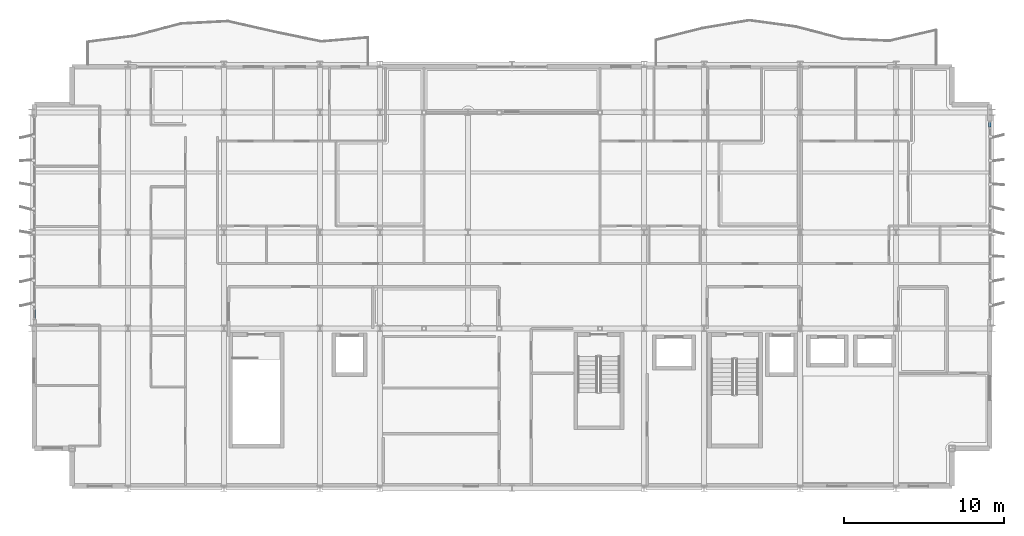
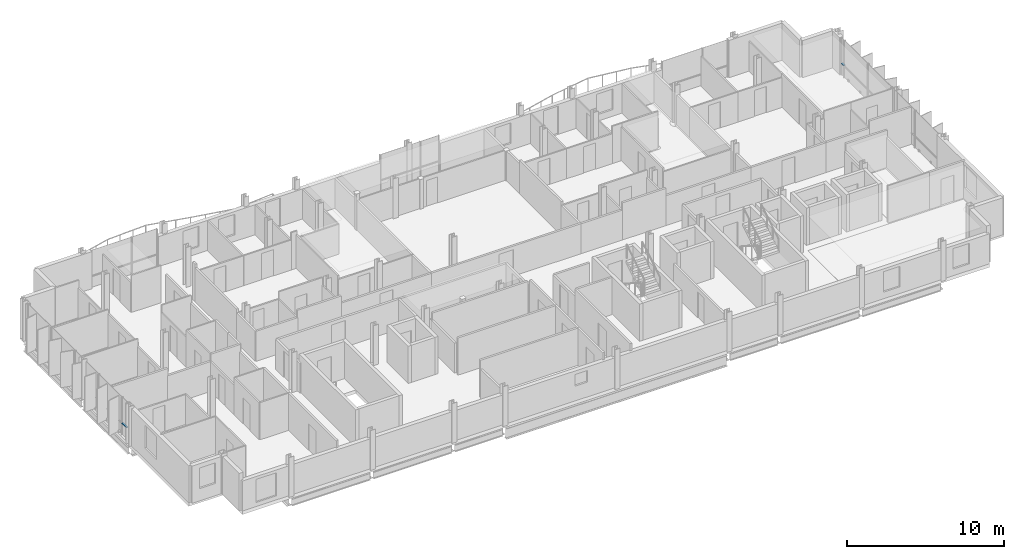
# One storey, part 20 of 35: 2 members, 2 elements without a shape of their own.
"""IFC4 building model written with IfcOpenShell, lengths in metres."""

from ifc_helpers import new_model, si_unit, direction, frame, origin, origin_2d, place, context, subcontext, project, spatial, hollow_rectangle, extrude, material, layer, layer_set, material_profile, profile_set, type_object, element, aggregate, save


model = new_model("IFC4")

# Units and contexts
model_context = context("Model", 3, precision=1e-05, world=origin(), true_north=direction((0.0, 1.0)))
body_context = subcontext(model_context, "Body", "Model", "MODEL_VIEW")
ifc_project = project(units=[si_unit("LENGTHUNIT", "METRE"), si_unit("AREAUNIT", "SQUARE_METRE"), si_unit("VOLUMEUNIT", "CUBIC_METRE"), si_unit("PLANEANGLEUNIT", "RADIAN"), si_unit("MASSUNIT", "GRAM", prefix="KILO")], contexts=[model_context])

# Site, building, storey
site_placement = place(None, origin())
site = spatial("IfcSite", under=ifc_project, at=site_placement, CompositionType="ELEMENT")
building_placement = place(site_placement, origin())
building = spatial("IfcBuilding", under=site, at=building_placement, Name="Brevholm Reach", CompositionType="ELEMENT")
storey_placement = place(building_placement, frame((0.0, 0.0, 218.0)))
storey = spatial("IfcBuildingStorey", under=building, at=storey_placement, Name="L66", CompositionType="ELEMENT", Elevation=218.0)

# Curtain wall, member
ifc_material_1 = material(Name="Dark Anodised Aluminium 6063-T6 and Solar-Control Glass", Category="aluminium")
ifc_layer = layer(ifc_material_1, 0.14990234375)
ifc_layer_set = layer_set([ifc_layer], Name="Dark Anodised Aluminium 6063-T6 and Solar-Control Glass")
curtain_wall_type = type_object("IfcCurtainWallType", Name="CW-01", PredefinedType="NOTDEFINED", material=ifc_layer_set)
curtain_wall_1_placement = place(storey_placement, origin())
curtain_wall_1 = element("IfcCurtainWall", 1, at=curtain_wall_1_placement, inside=storey, type_object=curtain_wall_type, Name="L66 Curtain Wall CW-01", PredefinedType="NOTDEFINED")
ifc_material_2 = material(Name="Dark Anodised Aluminium 6063-T6", Category="aluminium")
ifc_material_profile = material_profile(ifc_material_2, hollow_rectangle(XDim=0.06494140625, YDim=0.14990234375, WallThickness=0.0048828125, InnerFilletRadius=0.0048828125, OuterFilletRadius=0.010009765625, at=origin_2d()), Name="RHS 150x65x5")
ifc_profile_set = profile_set([ifc_material_profile], Name="Dark Anodised Aluminium 6063-T6")
member_type = type_object("IfcMemberType", Name="CWT-150", PredefinedType="NOTDEFINED", material=ifc_profile_set)
member_1_placement = place(storey_placement, frame((0.14990234375, 11.1875, 0.89990234375), z_axis=(0.0, -1.0, 0.0), x_axis=(0.0, 0.0, 1.0)))
member_1 = element("IfcMember", 2, at=member_1_placement, type_object=member_type, Name="CT-150 Transom 5.1", ObjectType="TRANSOM", PredefinedType="USERDEFINED", context=body_context, shape_type="SweptSolid", body=[
    extrude(hollow_rectangle(XDim=0.06494140625, YDim=0.14990234375, WallThickness=0.0048828125, InnerFilletRadius=0.0048828125, OuterFilletRadius=0.010009765625, at=origin_2d()), origin(), (0.0, 0.0, 1.0), 0.572509765625),
])
aggregate(curtain_wall_1, [member_1])

curtain_wall_2_placement = place(storey_placement, origin())
curtain_wall_2 = element("IfcCurtainWall", 3, at=curtain_wall_2_placement, inside=storey, type_object=curtain_wall_type, Name="L66 Curtain Wall CW-01", PredefinedType="NOTDEFINED")
member_2_placement = place(storey_placement, frame((59.85009765625, 22.58251953125, 0.89990234375), z_axis=(0.0, 1.0, 0.0), x_axis=(0.0, 0.0, 1.0)))
member_2 = element("IfcMember", 4, at=member_2_placement, type_object=member_type, Name="CT-150 Transom 5.1", ObjectType="TRANSOM", PredefinedType="USERDEFINED", context=body_context, shape_type="SweptSolid", body=[
    extrude(hollow_rectangle(XDim=0.06494140625, YDim=0.14990234375, WallThickness=0.0048828125, InnerFilletRadius=0.0048828125, OuterFilletRadius=0.010009765625, at=origin_2d()), origin(), (0.0, 0.0, 1.0), 0.302490234375),
])
aggregate(curtain_wall_2, [member_2])

save(model, "model.ifc")
